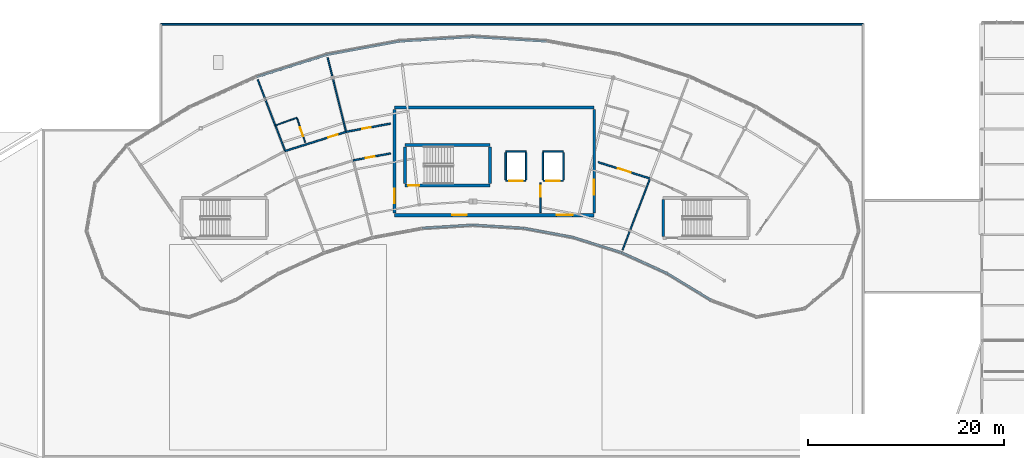
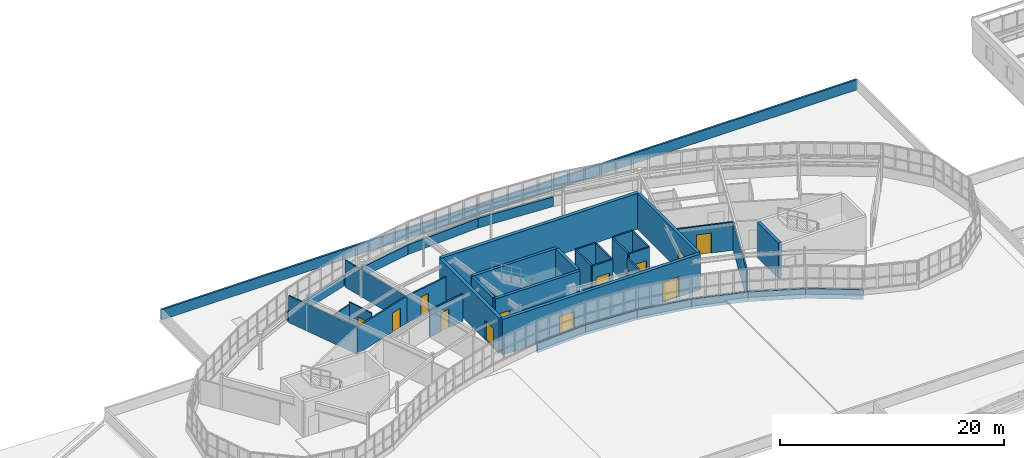
# One storey, part 107 of 128: 38 walls, 13 doors, 13 openings.
"""IFC4 building model written with IfcOpenShell, lengths in metres."""

from ifc_helpers import new_model, si_unit, direction, frame, frame_2d, origin, place, context, subcontext, project, spatial, rectangle, extrude, material, layer, layer_set, type_object, element, fill, save


model = new_model("IFC4")

# Units and contexts
model_context = context("Model", 3, precision=1e-05, world=origin(), true_north=direction((0.0, 1.0)))
body_context = subcontext(model_context, "Body", "Model", "MODEL_VIEW")
ifc_project = project(units=[si_unit("LENGTHUNIT", "METRE"), si_unit("AREAUNIT", "SQUARE_METRE"), si_unit("VOLUMEUNIT", "CUBIC_METRE"), si_unit("PLANEANGLEUNIT", "RADIAN"), si_unit("MASSUNIT", "GRAM", prefix="KILO")], contexts=[model_context])

# Site, building, storey
site_placement = place(None, origin())
site = spatial("IfcSite", under=ifc_project, at=site_placement, CompositionType="ELEMENT")
building_placement = place(site_placement, origin())
building = spatial("IfcBuilding", under=site, at=building_placement, Name="Tarnwether General Hospital", CompositionType="ELEMENT")
storey_placement = place(building_placement, frame((0.0, 0.0, 14.39990234375)))
storey = spatial("IfcBuildingStorey", under=building, at=storey_placement, Name="L03", CompositionType="ELEMENT", Elevation=14.39990234375)

# Walls
ifc_material_1 = material(Name="Streamlined white enamelled aluminium", Category="aluminium")
ifc_layer_1 = layer(ifc_material_1, 0.219970703125)
ifc_layer_set_1 = layer_set([ifc_layer_1], Name="Streamlined white enamelled aluminium")
wall_type_1 = type_object("IfcWallType", Name="WL-EX220", PredefinedType="STANDARD", material=ifc_layer_set_1)
for number, where, z_axis, x_axis, name in (
    (1, (92.0, 105.39990234375, 0.0), (0.0, 0.0, 1.0), (-0.998136079034, -0.061027598104, 0.0), "Ward NW Streamlined White Spandrel EW-L03-0010"),
    (2, (97.1669921875, 105.083984375, 0.0), (0.0, 0.0, 1.0), (-0.998136079034, 0.061027598104, 0.0), "Ward NW Streamlined White Spandrel EW-L03-0011"),
    (3, (102.257080078125, 104.14111328125, 0.0), (0.0, 0.0, 1.0), (-0.98327293422, 0.182138235501, 0.0), "Ward NW Streamlined White Spandrel EW-L03-0012"),
):
    element("IfcWall", number, at=place(storey_placement, frame(where, z_axis=z_axis, x_axis=x_axis)), inside=storey, type_object=wall_type_1, Name=name, PredefinedType="STANDARD", context=body_context, shape_type="SweptSolid", body=[
        extrude(rectangle(XDim=5.1767578125, YDim=0.219970703125, at=frame_2d((2.58837890625, 0.0))), origin(), (0.0, 0.0, 1.0), 1.050048828125),
    ])
wall_1_placement = place(storey_placement, frame((107.195068359375, 102.583984375, 0.0), z_axis=(0.0, 0.0, 1.0), x_axis=(-0.953706582316, 0.300738681994, 0.0)))
element("IfcWall", 4, at=wall_1_placement, inside=storey, type_object=wall_type_1, Name="Ward NW Streamlined White Spandrel EW-L03-0013", PredefinedType="STANDARD", context=body_context, shape_type="SweptSolid", body=[
    extrude(rectangle(XDim=5.177734375, YDim=0.219970703125, at=frame_2d((2.5888671875, 0.0))), origin(), (0.0, 0.0, 1.0), 1.050048828125),
])
for number, where, z_axis, x_axis, name in (
    (5, (111.906005859375, 100.43701171875, 0.0), (0.0, 0.0, 1.0), (-0.909955822384, 0.414705198074, 0.0), "Ward NW Streamlined White Spandrel EW-L03-0014"),
    (6, (116.320068359375, 97.73193359375, 0.0), (0.0, 0.0, 1.0), (-0.852628362135, 0.522517823698, 0.0), "Ward NW Streamlined White Spandrel EW-L03-0015"),
):
    element("IfcWall", number, at=place(storey_placement, frame(where, z_axis=z_axis, x_axis=x_axis)), inside=storey, type_object=wall_type_1, Name=name, PredefinedType="STANDARD", context=body_context, shape_type="SweptSolid", body=[
        extrude(rectangle(XDim=5.177001953125, YDim=0.219970703125, at=frame_2d((2.58837890625, 0.0))), origin(), (0.0, 0.0, 1.0), 1.050048828125),
    ])
for number, where, z_axis, x_axis, name in (
    (7, (92.0, 124.60009765625, 0.0), (0.0, 0.0, 1.0), (0.99813616181, -0.061026244242, 0.0), "Ward NW Streamlined White Spandrel EW-L03-0026"),
    (8, (84.492919921875, 124.14111328125, 0.0), (0.0, 0.0, 1.0), (0.99813616181, 0.061026244242, 0.0), "Ward NW Streamlined White Spandrel EW-L03-0027"),
    (9, (77.097900390625, 122.77001953125, 0.0), (0.0, 0.0, 1.0), (0.983242805192, 0.18230081195, 0.0), "Ward NW Streamlined White Spandrel EW-L03-0028"),
):
    element("IfcWall", number, at=place(storey_placement, frame(where, z_axis=z_axis, x_axis=x_axis)), inside=storey, type_object=wall_type_1, Name=name, PredefinedType="STANDARD", context=body_context, shape_type="SweptSolid", body=[
        extrude(rectangle(XDim=7.52099609375, YDim=0.219970703125, at=frame_2d((3.760498046875, 0.0))), origin(), (0.0, 0.0, 1.0), 1.050048828125),
    ])
wall_2_placement = place(storey_placement, frame((69.925048828125, 120.509033203125, 0.0), z_axis=(0.0, 0.0, 1.0), x_axis=(0.953740021466, 0.300632618747, 0.0)))
element("IfcWall", 10, at=wall_2_placement, inside=storey, type_object=wall_type_1, Name="Ward NW Streamlined White Spandrel EW-L03-0029", PredefinedType="STANDARD", context=body_context, shape_type="SweptSolid", body=[
    extrude(rectangle(XDim=7.520751953125, YDim=0.219970703125, at=frame_2d((3.76025390625, 0.0))), origin(), (0.0, 0.0, 1.0), 1.050048828125),
])
ifc_material_2 = material(Name="Precast concrete 40 MPa", Category="concrete")
ifc_layer_2 = layer(ifc_material_2, 0.199951171875)
ifc_layer_set_2 = layer_set([ifc_layer_2], Name="Precast concrete 40 MPa")
wall_type_2 = type_object("IfcWallType", Name="WL-PR200", PredefinedType="PARAPET", material=ifc_layer_set_2)
wall_3_placement = place(storey_placement, frame((60.10009765625, 125.89990234375, 0.330078125), z_axis=(0.0, 0.0, 1.0), x_axis=(1.0, 0.0, 0.0)))
element("IfcWall", 11, at=wall_3_placement, inside=storey, type_object=wall_type_2, Name="Flat Roof Parapet EW-L03-0350", PredefinedType="PARAPET", context=body_context, shape_type="SweptSolid", body=[
    extrude(rectangle(XDim=71.7998046875, YDim=0.199951171875, at=frame_2d((35.89990234375, 0.0))), origin(), (0.0, 0.0, 1.0), 1.1201171875),
])

# Wall, opening, door
ifc_material_3 = material(Name="Gypsum plasterboard")
ifc_layer_3 = layer(ifc_material_3, 0.1201171875)
ifc_layer_set_3 = layer_set([ifc_layer_3], Name="Gypsum plasterboard")
wall_type_3 = type_object("IfcWallType", Name="WL-PT120", PredefinedType="PARTITIONING", material=ifc_layer_set_3)
wall_4_placement = place(storey_placement, frame((74.873046875, 113.83203125, 0.0), z_axis=(0.0, 0.0, 1.0), x_axis=(-0.319199781595, 0.947687448176, 0.0)))
wall_4 = element("IfcWall", 12, at=wall_4_placement, inside=storey, type_object=wall_type_3, Name="Interior Partition PT-L03-0306", PredefinedType="PARTITIONING", context=body_context, shape_type="SweptSolid", body=[
    extrude(rectangle(XDim=2.66015625, YDim=0.1201171875, at=frame_2d((1.330078125, 0.0))), origin(), (0.0, 0.0, 1.0), 3.189208984375),
])
opening_1_placement = place(wall_4_placement, frame((0.64990234375, 0.0, 0.0)))
opening_1 = element("IfcOpeningElement", 13, at=opening_1_placement, cuts=wall_4, Name="Opening D-10", PredefinedType="OPENING", context=body_context, shape_type="SweptSolid", body=[
    extrude(rectangle(XDim=0.9599609375, YDim=2.06005859375, at=frame_2d((0.47998046875, 1.030029296875))), frame((0.0, 0.070068359375, 0.0), z_axis=(0.0, -1.0, 0.0), x_axis=(1.0, 0.0, 0.0)), (0.0, 0.0, 1.0), 0.14013671875),
])
ifc_material_4 = material(Name="Anodised aluminium", Category="aluminium")
door_type_1 = type_object("IfcDoorType", Name="DR-IN10", OperationType="NOTDEFINED", PredefinedType="DOOR", material=ifc_material_4)
door_1_placement = place(opening_1_placement, origin())
door_1 = element("IfcDoor", 14, at=door_1_placement, inside=storey, type_object=door_type_1, Name="Interior Door DR-L03-0170", OperationType="SINGLE_SWING_RIGHT", OverallHeight=2.06005859375, OverallWidth=0.9599609375, PredefinedType="DOOR", context=body_context, shape_type="SweptSolid", body=[
    extrude(rectangle(XDim=0.9599609375, YDim=2.06005859375, at=frame_2d((0.47998046875, 1.030029296875))), frame((0.0, 0.02490234375, 0.0), z_axis=(0.0, -1.0, 0.0), x_axis=(1.0, 0.0, 0.0)), (0.0, 0.0, 1.0), 0.050048828125),
])
fill(opening_1, door_1)

# Walls
wall_5_placement = place(storey_placement, frame((71.823974609375, 115.56103515625, 0.0), z_axis=(0.0, 0.0, 1.0), x_axis=(0.940886080788, 0.338723165695, 0.0)))
element("IfcWall", 15, at=wall_5_placement, inside=storey, type_object=wall_type_3, Name="Interior Partition PT-L03-0307", PredefinedType="PARTITIONING", context=body_context, shape_type="SweptSolid", body=[
    extrude(rectangle(XDim=2.338134765625, YDim=0.1201171875, at=frame_2d((1.1689453125, 0.0))), origin(), (0.0, 0.0, 1.0), 2.93310546875),
])
ifc_material_5 = material(Name="Gypsum plasterboard")
ifc_layer_4 = layer(ifc_material_5, 0.139892578125)
ifc_layer_set_4 = layer_set([ifc_layer_4], Name="Gypsum plasterboard")
wall_type_4 = type_object("IfcWallType", Name="WL-PT140", PredefinedType="PARTITIONING", material=ifc_layer_set_4)
wall_6_placement = place(storey_placement, frame((72.826904296875, 112.947021484375, 0.0), z_axis=(0.0, 0.0, 1.0), x_axis=(-0.358342954102, 0.933590020965, 0.0)))
element("IfcWall", 16, at=wall_6_placement, inside=storey, type_object=wall_type_4, Name="Interior Partition PT-L03-0303", PredefinedType="PARTITIONING", context=body_context, shape_type="SweptSolid", body=[
    extrude(rectangle(XDim=7.8193359375, YDim=0.139892578125, at=frame_2d((3.90966796875, 0.0))), origin(), (0.0, 0.0, 1.0), 2.93310546875),
])
wall_7_placement = place(storey_placement, frame((79.056884765625, 114.910888671875, 0.0), z_axis=(0.0, 0.0, 1.0), x_axis=(-0.241911207257, 0.970298391117, 0.0)))
element("IfcWall", 17, at=wall_7_placement, inside=storey, type_object=wall_type_4, Name="Interior Partition PT-L03-0309", PredefinedType="PARTITIONING", context=body_context, shape_type="SweptSolid", body=[
    extrude(rectangle(XDim=7.8203125, YDim=0.139892578125, at=frame_2d((3.91015625, 0.0))), origin(), (0.0, 0.0, 1.0), 2.93798828125),
])
wall_8_placement = place(storey_placement, frame((110.097900390625, 110.14599609375, 0.0), z_axis=(0.0, 0.0, 1.0), x_axis=(-0.358410014332, -0.933564278251, 0.0)))
element("IfcWall", 18, at=wall_8_placement, inside=storey, type_object=wall_type_4, Name="Interior Partition PT-L03-0319", PredefinedType="PARTITIONING", context=body_context, shape_type="SweptSolid", body=[
    extrude(rectangle(XDim=7.820556640625, YDim=0.139892578125, at=frame_2d((3.91015625, 0.0))), origin(), (0.0, 0.0, 1.0), 3.088134765625),
])

# Wall, opening, door
ifc_material_6 = material(Name="Gypsum plasterboard")
ifc_layer_5 = layer(ifc_material_6, 0.159912109375)
ifc_layer_set_5 = layer_set([ifc_layer_5], Name="Gypsum plasterboard")
wall_type_5 = type_object("IfcWallType", Name="WL-PT160", PredefinedType="PARTITIONING", material=ifc_layer_set_5)
wall_9_placement = place(storey_placement, frame((95.360107421875, 109.909912109375, 0.0), z_axis=(0.0, 0.0, 1.0), x_axis=(1.0, 0.0, 0.0)))
wall_9 = element("IfcWall", 19, at=wall_9_placement, inside=storey, type_object=wall_type_5, Name="Lift L-01 Shaft Wall LSH-L-01-L03-S", PredefinedType="PARTITIONING", context=body_context, shape_type="SweptSolid", body=[
    extrude(rectangle(XDim=2.079833984375, YDim=0.159912109375, at=frame_2d((1.0400390625, 0.0))), origin(), (0.0, 0.0, 1.0), 3.56005859375),
])
opening_2_placement = place(wall_9_placement, frame((0.340087890625, 0.0, 0.0)))
opening_2 = element("IfcOpeningElement", 20, at=opening_2_placement, cuts=wall_9, Name="Opening LD-01", PredefinedType="OPENING", context=body_context, shape_type="SweptSolid", body=[
    extrude(rectangle(XDim=1.39990234375, YDim=2.199951171875, at=frame_2d((0.699951171875, 1.10009765625))), frame((0.0, 0.08984375, 0.0), z_axis=(0.0, -1.0, 0.0), x_axis=(1.0, 0.0, 0.0)), (0.0, 0.0, 1.0), 0.179931640625),
])
ifc_material_7 = material(Name="Anodised aluminium", Category="aluminium")
door_type_2 = type_object("IfcDoorType", Name="DR-LD01", OperationType="NOTDEFINED", PredefinedType="DOOR", material=ifc_material_7)
door_2_placement = place(opening_2_placement, origin())
door_2 = element("IfcDoor", 21, at=door_2_placement, inside=storey, type_object=door_type_2, Name="Lift L-01 Sliding Landing Door L03", OperationType="SLIDING_TO_LEFT", OverallHeight=2.199951171875, OverallWidth=1.39990234375, PredefinedType="DOOR", context=body_context, shape_type="SweptSolid", body=[
    extrude(rectangle(XDim=1.39990234375, YDim=2.199951171875, at=frame_2d((0.699951171875, 1.10009765625))), frame((0.0, 0.02490234375, 0.0), z_axis=(0.0, -1.0, 0.0), x_axis=(1.0, 0.0, 0.0)), (0.0, 0.0, 1.0), 0.050048828125),
])
fill(opening_2, door_2)

# Walls
wall_10_placement = place(storey_placement, frame((97.43994140625, 112.889892578125, 0.0), z_axis=(0.0, 0.0, 1.0), x_axis=(-1.0, 0.0, 0.0)))
element("IfcWall", 22, at=wall_10_placement, inside=storey, type_object=wall_type_5, Name="Lift L-01 Shaft Wall LSH-L-01-L03-N", PredefinedType="PARTITIONING", context=body_context, shape_type="SweptSolid", body=[
    extrude(rectangle(XDim=2.079833984375, YDim=0.159912109375, at=frame_2d((1.0400390625, 0.0))), origin(), (0.0, 0.0, 1.0), 3.56005859375),
])
for number, where, z_axis, x_axis, name in (
    (23, (95.360107421875, 112.7900390625, 0.0), (0.0, 0.0, 1.0), (0.0, -1.0, 0.0), "Lift L-01 Shaft Wall LSH-L-01-L03-W"),
    (24, (97.43994140625, 110.010009765625, 0.0), (0.0, 0.0, 1.0), (0.0, 1.0, 0.0), "Lift L-01 Shaft Wall LSH-L-01-L03-E"),
):
    element("IfcWall", number, at=place(storey_placement, frame(where, z_axis=z_axis, x_axis=x_axis)), inside=storey, type_object=wall_type_5, Name=name, PredefinedType="PARTITIONING", context=body_context, shape_type="SweptSolid", body=[
        extrude(rectangle(XDim=2.780029296875, YDim=0.159912109375, at=frame_2d((1.39013671875, 0.0))), origin(), (0.0, 0.0, 1.0), 3.56005859375),
    ])

# Wall, opening, door
wall_11_placement = place(storey_placement, frame((99.159912109375, 109.909912109375, 0.0), z_axis=(0.0, 0.0, 1.0), x_axis=(1.0, 0.0, 0.0)))
wall_11 = element("IfcWall", 25, at=wall_11_placement, inside=storey, type_object=wall_type_5, Name="Lift L-03 Shaft Wall LSH-L-03-L03-S", PredefinedType="PARTITIONING", context=body_context, shape_type="SweptSolid", body=[
    extrude(rectangle(XDim=2.080078125, YDim=0.159912109375, at=frame_2d((1.0400390625, 0.0))), origin(), (0.0, 0.0, 1.0), 3.56005859375),
])
opening_3_placement = place(wall_11_placement, frame((0.340087890625, 0.0, 0.0)))
opening_3 = element("IfcOpeningElement", 26, at=opening_3_placement, cuts=wall_11, Name="Opening LD-01", PredefinedType="OPENING", context=body_context, shape_type="SweptSolid", body=[
    extrude(rectangle(XDim=1.39990234375, YDim=2.199951171875, at=frame_2d((0.699951171875, 1.10009765625))), frame((0.0, 0.08984375, 0.0), z_axis=(0.0, -1.0, 0.0), x_axis=(1.0, 0.0, 0.0)), (0.0, 0.0, 1.0), 0.179931640625),
])
door_3_placement = place(opening_3_placement, origin())
door_3 = element("IfcDoor", 27, at=door_3_placement, inside=storey, type_object=door_type_2, Name="Lift L-03 Sliding Landing Door L03", OperationType="SLIDING_TO_LEFT", OverallHeight=2.199951171875, OverallWidth=1.39990234375, PredefinedType="DOOR", context=body_context, shape_type="SweptSolid", body=[
    extrude(rectangle(XDim=1.39990234375, YDim=2.199951171875, at=frame_2d((0.699951171875, 1.10009765625))), frame((0.0, 0.02490234375, 0.0), z_axis=(0.0, -1.0, 0.0), x_axis=(1.0, 0.0, 0.0)), (0.0, 0.0, 1.0), 0.050048828125),
])
fill(opening_3, door_3)

# Walls
wall_12_placement = place(storey_placement, frame((101.239990234375, 112.889892578125, 0.0), z_axis=(0.0, 0.0, 1.0), x_axis=(-1.0, 0.0, 0.0)))
element("IfcWall", 28, at=wall_12_placement, inside=storey, type_object=wall_type_5, Name="Lift L-03 Shaft Wall LSH-L-03-L03-N", PredefinedType="PARTITIONING", context=body_context, shape_type="SweptSolid", body=[
    extrude(rectangle(XDim=2.080078125, YDim=0.159912109375, at=frame_2d((1.0400390625, 0.0))), origin(), (0.0, 0.0, 1.0), 3.56005859375),
])
for number, where, z_axis, x_axis, name in (
    (29, (99.159912109375, 112.7900390625, 0.0), (0.0, 0.0, 1.0), (0.0, -1.0, 0.0), "Lift L-03 Shaft Wall LSH-L-03-L03-W"),
    (30, (101.239990234375, 110.010009765625, 0.0), (0.0, 0.0, 1.0), (0.0, 1.0, 0.0), "Lift L-03 Shaft Wall LSH-L-03-L03-E"),
):
    element("IfcWall", number, at=place(storey_placement, frame(where, z_axis=z_axis, x_axis=x_axis)), inside=storey, type_object=wall_type_5, Name=name, PredefinedType="PARTITIONING", context=body_context, shape_type="SweptSolid", body=[
        extrude(rectangle(XDim=2.780029296875, YDim=0.159912109375, at=frame_2d((1.39013671875, 0.0))), origin(), (0.0, 0.0, 1.0), 3.56005859375),
    ])

# Wall, opening, door
wall_13_placement = place(storey_placement, frame((98.89990234375, 106.64990234375, 0.0), z_axis=(0.0, 0.0, 1.0), x_axis=(0.0, 1.0, 0.0)))
wall_13 = element("IfcWall", 31, at=wall_13_placement, inside=storey, type_object=wall_type_5, Name="Firefighting Lobby Divider K1 L03", PredefinedType="PARTITIONING", context=body_context, shape_type="SweptSolid", body=[
    extrude(rectangle(XDim=3.050048828125, YDim=0.159912109375, at=frame_2d((1.52490234375, 0.0))), origin(), (0.0, 0.0, 1.0), 3.295166015625),
])
opening_4_placement = place(wall_13_placement, frame((1.6298828125, 0.0, 0.0)))
opening_4 = element("IfcOpeningElement", 32, at=opening_4_placement, cuts=wall_13, Name="Opening FD-06", PredefinedType="OPENING", context=body_context, shape_type="SweptSolid", body=[
    extrude(rectangle(XDim=1.10009765625, YDim=2.14990234375, at=frame_2d((0.550048828125, 1.074951171875))), frame((0.0, 0.08984375, 0.0), z_axis=(0.0, -1.0, 0.0), x_axis=(1.0, 0.0, 0.0)), (0.0, 0.0, 1.0), 0.179931640625),
])
ifc_material_8 = material(Name="Anodised aluminium", Category="aluminium")
door_type_3 = type_object("IfcDoorType", Name="DR-FD06", OperationType="NOTDEFINED", PredefinedType="DOOR", material=ifc_material_8)
door_4_placement = place(opening_4_placement, origin())
door_4 = element("IfcDoor", 33, at=door_4_placement, inside=storey, type_object=door_type_3, Name="Core K1 Inter-Lobby Smoke Door L03", OperationType="SINGLE_SWING_RIGHT", OverallHeight=2.14990234375, OverallWidth=1.10009765625, PredefinedType="DOOR", context=body_context, shape_type="SweptSolid", body=[
    extrude(rectangle(XDim=1.10009765625, YDim=2.14990234375, at=frame_2d((0.550048828125, 1.074951171875))), frame((0.0, 0.02490234375, 0.0), z_axis=(0.0, -1.0, 0.0), x_axis=(1.0, 0.0, 0.0)), (0.0, 0.0, 1.0), 0.050048828125),
])
fill(opening_4, door_4)

wall_14_placement = place(storey_placement, frame((72.826904296875, 112.947021484375, 0.0), z_axis=(0.0, 0.0, 1.0), x_axis=(0.953736183483, 0.30064479426, 0.0)))
wall_14 = element("IfcWall", 34, at=wall_14_placement, inside=storey, type_object=wall_type_5, Name="Interior Partition PT-L03-0308", PredefinedType="PARTITIONING", context=body_context, shape_type="SweptSolid", body=[
    extrude(rectangle(XDim=6.5322265625, YDim=0.159912109375, at=frame_2d((3.26611328125, 0.0))), origin(), (0.0, 0.0, 1.0), 2.93310546875),
])
opening_5_placement = place(wall_14_placement, frame((4.632080078125, 0.0, 0.0)))
opening_5 = element("IfcOpeningElement", 35, at=opening_5_placement, cuts=wall_14, Name="Opening D-09", PredefinedType="OPENING", context=body_context, shape_type="SweptSolid", body=[
    extrude(rectangle(XDim=1.02001953125, YDim=2.080078125, at=frame_2d((0.510009765625, 1.0400390625))), frame((0.0, 0.08984375, 0.0), z_axis=(0.0, -1.0, 0.0), x_axis=(1.0, 0.0, 0.0)), (0.0, 0.0, 1.0), 0.179931640625),
])
ifc_material_9 = material(Name="Anodised aluminium", Category="aluminium")
door_type_4 = type_object("IfcDoorType", Name="DR-IN09", OperationType="NOTDEFINED", PredefinedType="DOOR", material=ifc_material_9)
door_5_placement = place(opening_5_placement, origin())
door_5 = element("IfcDoor", 36, at=door_5_placement, inside=storey, type_object=door_type_4, Name="Interior Door DR-L03-0171", OperationType="SINGLE_SWING_LEFT", OverallHeight=2.080078125, OverallWidth=1.02001953125, PredefinedType="DOOR", context=body_context, shape_type="SweptSolid", body=[
    extrude(rectangle(XDim=1.02001953125, YDim=2.080078125, at=frame_2d((0.510009765625, 1.0400390625))), frame((0.0, 0.02490234375, 0.0), z_axis=(0.0, -1.0, 0.0), x_axis=(1.0, 0.0, 0.0)), (0.0, 0.0, 1.0), 0.050048828125),
])
fill(opening_5, door_5)

wall_15_placement = place(storey_placement, frame((79.056884765625, 114.910888671875, 0.0), z_axis=(0.0, 0.0, 1.0), x_axis=(0.983258469263, 0.182216307235, 0.0)))
wall_15 = element("IfcWall", 37, at=wall_15_placement, inside=storey, type_object=wall_type_5, Name="Interior Partition PT-L03-0312", PredefinedType="PARTITIONING", context=body_context, shape_type="SweptSolid", body=[
    extrude(rectangle(XDim=4.6103515625, YDim=0.159912109375, at=frame_2d((2.30517578125, 0.0))), origin(), (0.0, 0.0, 1.0), 2.93798828125),
])
opening_6_placement = place(wall_15_placement, frame((1.655029296875, 0.0, 0.0)))
opening_6 = element("IfcOpeningElement", 38, at=opening_6_placement, cuts=wall_15, Name="Opening D-11", PredefinedType="OPENING", context=body_context, shape_type="SweptSolid", body=[
    extrude(rectangle(XDim=0.89990234375, YDim=2.10009765625, at=frame_2d((0.449951171875, 1.050048828125))), frame((0.0, 0.08984375, 0.0), z_axis=(0.0, -1.0, 0.0), x_axis=(1.0, 0.0, 0.0)), (0.0, 0.0, 1.0), 0.179931640625),
])
ifc_material_10 = material(Name="Anodised aluminium", Category="aluminium")
door_type_5 = type_object("IfcDoorType", Name="DR-IN11", OperationType="NOTDEFINED", PredefinedType="DOOR", material=ifc_material_10)
door_6_placement = place(opening_6_placement, origin())
door_6 = element("IfcDoor", 39, at=door_6_placement, inside=storey, type_object=door_type_5, Name="Interior Door DR-L03-0173", OperationType="SINGLE_SWING_LEFT", OverallHeight=2.10009765625, OverallWidth=0.89990234375, PredefinedType="DOOR", context=body_context, shape_type="SweptSolid", body=[
    extrude(rectangle(XDim=0.89990234375, YDim=2.10009765625, at=frame_2d((0.449951171875, 1.050048828125))), frame((0.0, 0.02490234375, 0.0), z_axis=(0.0, -1.0, 0.0), x_axis=(1.0, 0.0, 0.0)), (0.0, 0.0, 1.0), 0.050048828125),
])
fill(opening_6, door_6)

wall_16_placement = place(storey_placement, frame((79.782958984375, 112.0, 0.0), z_axis=(0.0, 0.0, 1.0), x_axis=(0.983234305922, 0.182346646962, 0.0)))
wall_16 = element("IfcWall", 40, at=wall_16_placement, inside=storey, type_object=wall_type_5, Name="Interior Partition PT-L03-0313", PredefinedType="PARTITIONING", context=body_context, shape_type="SweptSolid", body=[
    extrude(rectangle(XDim=3.8720703125, YDim=0.159912109375, at=frame_2d((1.93603515625, 0.0))), origin(), (0.0, 0.0, 1.0), 2.93798828125),
])
opening_7_placement = place(wall_16_placement, frame((1.285888671875, 0.0, 0.0)))
opening_7 = element("IfcOpeningElement", 41, at=opening_7_placement, cuts=wall_16, Name="Opening D-12", PredefinedType="OPENING", context=body_context, shape_type="SweptSolid", body=[
    extrude(rectangle(XDim=0.919921875, YDim=2.0400390625, at=frame_2d((0.4599609375, 1.02001953125))), frame((0.0, 0.08984375, 0.0), z_axis=(0.0, -1.0, 0.0), x_axis=(1.0, 0.0, 0.0)), (0.0, 0.0, 1.0), 0.179931640625),
])
ifc_material_11 = material(Name="Anodised aluminium", Category="aluminium")
door_type_6 = type_object("IfcDoorType", Name="DR-IN12", OperationType="NOTDEFINED", PredefinedType="DOOR", material=ifc_material_11)
door_7_placement = place(opening_7_placement, origin())
door_7 = element("IfcDoor", 42, at=door_7_placement, inside=storey, type_object=door_type_6, Name="Interior Door DR-L03-0174", OperationType="SINGLE_SWING_RIGHT", OverallHeight=2.0400390625, OverallWidth=0.919921875, PredefinedType="DOOR", context=body_context, shape_type="SweptSolid", body=[
    extrude(rectangle(XDim=0.919921875, YDim=2.0400390625, at=frame_2d((0.4599609375, 1.02001953125))), frame((0.0, 0.02490234375, 0.0), z_axis=(0.0, -1.0, 0.0), x_axis=(1.0, 0.0, 0.0)), (0.0, 0.0, 1.0), 0.050048828125),
])
fill(opening_7, door_7)

wall_17_placement = place(storey_placement, frame((104.81005859375, 111.81298828125, 0.0), z_axis=(0.0, 0.0, 1.0), x_axis=(0.953730291319, -0.300663485347, 0.0)))
wall_17 = element("IfcWall", 43, at=wall_17_placement, inside=storey, type_object=wall_type_5, Name="Interior Partition PT-L03-0318", PredefinedType="PARTITIONING", context=body_context, shape_type="SweptSolid", body=[
    extrude(rectangle(XDim=5.54443359375, YDim=0.159912109375, at=frame_2d((2.772216796875, 0.0))), origin(), (0.0, 0.0, 1.0), 3.088134765625),
])
opening_8_placement = place(wall_17_placement, frame((2.1220703125, 0.0, 0.0)))
opening_8 = element("IfcOpeningElement", 44, at=opening_8_placement, cuts=wall_17, Name="Opening D-02", PredefinedType="OPENING", context=body_context, shape_type="SweptSolid", body=[
    extrude(rectangle(XDim=1.360107421875, YDim=2.179931640625, at=frame_2d((0.68017578125, 1.08984375))), frame((0.0, 0.08984375, 0.0), z_axis=(0.0, -1.0, 0.0), x_axis=(1.0, 0.0, 0.0)), (0.0, 0.0, 1.0), 0.179931640625),
])
ifc_material_12 = material(Name="Anodised aluminium", Category="aluminium")
door_type_7 = type_object("IfcDoorType", Name="DR-IN02", OperationType="NOTDEFINED", PredefinedType="DOOR", material=ifc_material_12)
door_8_placement = place(opening_8_placement, origin())
door_8 = element("IfcDoor", 45, at=door_8_placement, inside=storey, type_object=door_type_7, Name="Interior Door DR-L03-0177", OperationType="SINGLE_SWING_LEFT", OverallHeight=2.179931640625, OverallWidth=1.360107421875, PredefinedType="DOOR", context=body_context, shape_type="SweptSolid", body=[
    extrude(rectangle(XDim=1.360107421875, YDim=2.179931640625, at=frame_2d((0.68017578125, 1.08984375))), frame((0.0, 0.02490234375, 0.0), z_axis=(0.0, -1.0, 0.0), x_axis=(1.0, 0.0, 0.0)), (0.0, 0.0, 1.0), 0.050048828125),
])
fill(opening_8, door_8)

ifc_material_13 = material(Name="Concrete 50 MPa", Category="concrete")
ifc_layer_6 = layer(ifc_material_13, 0.300048828125)
ifc_layer_set_6 = layer_set([ifc_layer_6], Name="Concrete 50 MPa")
wall_type_6 = type_object("IfcWallType", Name="WL-SW300", PredefinedType="SHEAR", material=ifc_layer_set_6)
wall_18_placement = place(storey_placement, frame((104.39990234375, 117.199951171875, 0.0), z_axis=(0.0, 0.0, 1.0), x_axis=(0.0, -1.0, 0.0)))
wall_18 = element("IfcWall", 46, at=wall_18_placement, inside=storey, type_object=wall_type_6, Name="Core Shear Wall CWALL-K1-L03-E", PredefinedType="SHEAR", context=body_context, shape_type="SweptSolid", body=[
    extrude(rectangle(XDim=10.599853515625, YDim=0.300048828125, at=frame_2d((5.2998046875, 0.0))), origin(), (0.0, 0.0, 1.0), 3.900146484375),
])
opening_9_placement = place(wall_18_placement, frame((7.199951171875, 0.0, 0.0)))
opening_9 = element("IfcOpeningElement", 47, at=opening_9_placement, cuts=wall_18, Name="Opening FD-02", PredefinedType="OPENING", context=body_context, shape_type="SweptSolid", body=[
    extrude(rectangle(XDim=1.52001953125, YDim=2.159912109375, at=frame_2d((0.760009765625, 1.080078125))), frame((0.0, 0.16015625, 0.0), z_axis=(0.0, -1.0, 0.0), x_axis=(1.0, 0.0, 0.0)), (0.0, 0.0, 1.0), 0.320068359375),
])
ifc_material_14 = material(Name="Anodised aluminium", Category="aluminium")
door_type_8 = type_object("IfcDoorType", Name="DR-FD02", OperationType="NOTDEFINED", PredefinedType="DOOR", material=ifc_material_14)
door_9_placement = place(opening_9_placement, origin())
door_9 = element("IfcDoor", 48, at=door_9_placement, inside=storey, type_object=door_type_8, Name="Core K1 Ward Corridor Fire Door L03", OperationType="SINGLE_SWING_RIGHT", OverallHeight=2.159912109375, OverallWidth=1.52001953125, PredefinedType="DOOR", context=body_context, shape_type="SweptSolid", body=[
    extrude(rectangle(XDim=1.52001953125, YDim=2.159912109375, at=frame_2d((0.760009765625, 1.080078125))), frame((0.0, 0.02490234375, 0.0), z_axis=(0.0, -1.0, 0.0), x_axis=(1.0, 0.0, 0.0)), (0.0, 0.0, 1.0), 0.050048828125),
])
fill(opening_9, door_9)

wall_19_placement = place(storey_placement, frame((85.050048828125, 109.449951171875, 0.0), z_axis=(0.0, 0.0, 1.0), x_axis=(1.0, 0.0, 0.0)))
wall_19 = element("IfcWall", 49, at=wall_19_placement, inside=storey, type_object=wall_type_6, Name="Stairwell Shear Wall STW-ST-01-L03-B", PredefinedType="SHEAR", context=body_context, shape_type="SweptSolid", body=[
    extrude(rectangle(XDim=8.699951171875, YDim=0.300048828125, at=frame_2d((4.35009765625, 0.0))), origin(), (0.0, 0.0, 1.0), 3.900146484375),
])
opening_10_placement = place(wall_19_placement, frame((0.35009765625, 0.0, 0.0)))
opening_10 = element("IfcOpeningElement", 50, at=opening_10_placement, cuts=wall_19, Name="Opening FD-06", PredefinedType="OPENING", context=body_context, shape_type="SweptSolid", body=[
    extrude(rectangle(XDim=1.10009765625, YDim=2.14990234375, at=frame_2d((0.550048828125, 1.074951171875))), frame((0.0, 0.16015625, 0.0), z_axis=(0.0, -1.0, 0.0), x_axis=(1.0, 0.0, 0.0)), (0.0, 0.0, 1.0), 0.320068359375),
])
door_10_placement = place(opening_10_placement, origin())
door_10 = element("IfcDoor", 51, at=door_10_placement, inside=storey, type_object=door_type_3, Name="Stairwell ST-01 Safe-Path Fire Door L03", OperationType="SINGLE_SWING_RIGHT", OverallHeight=2.14990234375, OverallWidth=1.10009765625, PredefinedType="DOOR", context=body_context, shape_type="SweptSolid", body=[
    extrude(rectangle(XDim=1.10009765625, YDim=2.14990234375, at=frame_2d((0.550048828125, 1.074951171875))), frame((0.0, 0.02490234375, 0.0), z_axis=(0.0, -1.0, 0.0), x_axis=(1.0, 0.0, 0.0)), (0.0, 0.0, 1.0), 0.050048828125),
])
fill(opening_10, door_10)

# Walls
wall_20_placement = place(storey_placement, frame((93.75, 113.550048828125, 0.0), z_axis=(0.0, 0.0, 1.0), x_axis=(-1.0, 0.0, 0.0)))
element("IfcWall", 52, at=wall_20_placement, inside=storey, type_object=wall_type_6, Name="Stairwell Shear Wall STW-ST-01-L03-N", PredefinedType="SHEAR", context=body_context, shape_type="SweptSolid", body=[
    extrude(rectangle(XDim=8.699951171875, YDim=0.300048828125, at=frame_2d((4.35009765625, 0.0))), origin(), (0.0, 0.0, 1.0), 3.900146484375),
])
for number, where, z_axis, x_axis, name in (
    (53, (85.050048828125, 109.6201171875, 0.0), (0.0, 0.0, 1.0), (0.0, 1.0, 0.0), "Stairwell Shear Wall STW-ST-01-L03-L"),
    (54, (93.75, 109.6201171875, 0.0), (0.0, 0.0, 1.0), (0.0, 1.0, 0.0), "Stairwell Shear Wall STW-ST-01-L03-F"),
):
    element("IfcWall", number, at=place(storey_placement, frame(where, z_axis=z_axis, x_axis=x_axis)), inside=storey, type_object=wall_type_6, Name=name, PredefinedType="SHEAR", context=body_context, shape_type="SweptSolid", body=[
        extrude(rectangle(XDim=3.759765625, YDim=0.300048828125, at=frame_2d((1.8798828125, 0.0))), origin(), (0.0, 0.0, 1.0), 3.900146484375),
    ])
wall_21_placement = place(storey_placement, frame((111.449951171875, 104.219970703125, 0.0), z_axis=(0.0, 0.0, 1.0), x_axis=(0.0, 1.0, 0.0)))
element("IfcWall", 55, at=wall_21_placement, inside=storey, type_object=wall_type_6, Name="Stairwell Shear Wall STW-ST-08-L03-L", PredefinedType="SHEAR", context=body_context, shape_type="SweptSolid", body=[
    extrude(rectangle(XDim=3.760009765625, YDim=0.300048828125, at=frame_2d((1.8798828125, 0.0))), origin(), (0.0, 0.0, 1.0), 3.900146484375),
])
ifc_material_15 = material(Name="Concrete 50 MPa", Category="concrete")
ifc_layer_7 = layer(ifc_material_15, 0.35009765625)
ifc_layer_set_7 = layer_set([ifc_layer_7], Name="Concrete 50 MPa")
wall_type_7 = type_object("IfcWallType", Name="WL-SW350", PredefinedType="SHEAR", material=ifc_layer_set_7)
wall_22_placement = place(storey_placement, frame((84.0, 117.39990234375, 0.0), z_axis=(0.0, 0.0, 1.0), x_axis=(1.0, 0.0, 0.0)))
element("IfcWall", 56, at=wall_22_placement, inside=storey, type_object=wall_type_7, Name="Core Shear Wall CWALL-K1-L03-N", PredefinedType="SHEAR", context=body_context, shape_type="SweptSolid", body=[
    extrude(rectangle(XDim=20.39990234375, YDim=0.35009765625, at=frame_2d((10.199951171875, 0.0))), origin(), (0.0, 0.0, 1.0), 3.900146484375),
])

# Wall, openings, doors
wall_23_placement = place(storey_placement, frame((104.39990234375, 106.39990234375, 0.0), z_axis=(0.0, 0.0, 1.0), x_axis=(-1.0, 0.0, 0.0)))
wall_23 = element("IfcWall", 57, at=wall_23_placement, inside=storey, type_object=wall_type_7, Name="Core Shear Wall CWALL-K1-L03-S", PredefinedType="SHEAR", context=body_context, shape_type="SweptSolid", body=[
    extrude(rectangle(XDim=20.39990234375, YDim=0.35009765625, at=frame_2d((10.199951171875, 0.0))), origin(), (0.0, 0.0, 1.0), 3.900146484375),
])
opening_11_placement = place(wall_23_placement, frame((2.199951171875, 0.0, 0.0)))
opening_11 = element("IfcOpeningElement", 58, at=opening_11_placement, cuts=wall_23, Name="Opening FD-01", PredefinedType="OPENING", context=body_context, shape_type="SweptSolid", body=[
    extrude(rectangle(XDim=1.639892578125, YDim=2.199951171875, at=frame_2d((0.81982421875, 1.10009765625))), frame((0.0, 0.18505859375, 0.0), z_axis=(0.0, -1.0, 0.0), x_axis=(1.0, 0.0, 0.0)), (0.0, 0.0, 1.0), 0.3701171875),
])
opening_12_placement = place(wall_23_placement, frame((13.0, 0.0, 0.0)))
opening_12 = element("IfcOpeningElement", 59, at=opening_12_placement, cuts=wall_23, Name="Opening FD-02", PredefinedType="OPENING", context=body_context, shape_type="SweptSolid", body=[
    extrude(rectangle(XDim=1.52001953125, YDim=2.159912109375, at=frame_2d((0.760009765625, 1.080078125))), frame((0.0, 0.18505859375, 0.0), z_axis=(0.0, -1.0, 0.0), x_axis=(1.0, 0.0, 0.0)), (0.0, 0.0, 1.0), 0.3701171875),
])
ifc_material_16 = material(Name="Anodised aluminium", Category="aluminium")
door_type_9 = type_object("IfcDoorType", Name="DR-FD01", OperationType="NOTDEFINED", PredefinedType="DOOR", material=ifc_material_16)
door_11_placement = place(opening_11_placement, origin())
door_11 = element("IfcDoor", 60, at=door_11_placement, inside=storey, type_object=door_type_9, Name="Core K1 Lobby Fire Door L03", OperationType="DOUBLE_DOOR_SINGLE_SWING", OverallHeight=2.199951171875, OverallWidth=1.639892578125, PredefinedType="DOOR", context=body_context, shape_type="SweptSolid", body=[
    extrude(rectangle(XDim=1.639892578125, YDim=2.199951171875, at=frame_2d((0.81982421875, 1.10009765625))), frame((0.0, 0.02490234375, 0.0), z_axis=(0.0, -1.0, 0.0), x_axis=(1.0, 0.0, 0.0)), (0.0, 0.0, 1.0), 0.050048828125),
])
fill(opening_11, door_11)
door_12_placement = place(opening_12_placement, origin())
door_12 = element("IfcDoor", 61, at=door_12_placement, inside=storey, type_object=door_type_8, Name="Core K1 Firefighting Lobby Door L03", OperationType="SINGLE_SWING_RIGHT", OverallHeight=2.159912109375, OverallWidth=1.52001953125, PredefinedType="DOOR", context=body_context, shape_type="SweptSolid", body=[
    extrude(rectangle(XDim=1.52001953125, YDim=2.159912109375, at=frame_2d((0.760009765625, 1.080078125))), frame((0.0, 0.02490234375, 0.0), z_axis=(0.0, -1.0, 0.0), x_axis=(1.0, 0.0, 0.0)), (0.0, 0.0, 1.0), 0.050048828125),
])
fill(opening_12, door_12)

# Wall, opening, door
wall_24_placement = place(storey_placement, frame((84.0, 106.60009765625, 0.0), z_axis=(0.0, 0.0, 1.0), x_axis=(0.0, 1.0, 0.0)))
wall_24 = element("IfcWall", 62, at=wall_24_placement, inside=storey, type_object=wall_type_7, Name="Core Shear Wall CWALL-K1-L03-W", PredefinedType="SHEAR", context=body_context, shape_type="SweptSolid", body=[
    extrude(rectangle(XDim=10.599853515625, YDim=0.35009765625, at=frame_2d((5.2998046875, 0.0))), origin(), (0.0, 0.0, 1.0), 3.900146484375),
])
opening_13_placement = place(wall_24_placement, frame((1.0, 0.0, 0.0)))
opening_13 = element("IfcOpeningElement", 63, at=opening_13_placement, cuts=wall_24, Name="Opening FD-02", PredefinedType="OPENING", context=body_context, shape_type="SweptSolid", body=[
    extrude(rectangle(XDim=1.52001953125, YDim=2.159912109375, at=frame_2d((0.760009765625, 1.080078125))), frame((0.0, 0.18505859375, 0.0), z_axis=(0.0, -1.0, 0.0), x_axis=(1.0, 0.0, 0.0)), (0.0, 0.0, 1.0), 0.3701171875),
])
door_13_placement = place(opening_13_placement, origin())
door_13 = element("IfcDoor", 64, at=door_13_placement, inside=storey, type_object=door_type_8, Name="Core K1 Ward Corridor Fire Door L03", OperationType="SINGLE_SWING_LEFT", OverallHeight=2.159912109375, OverallWidth=1.52001953125, PredefinedType="DOOR", context=body_context, shape_type="SweptSolid", body=[
    extrude(rectangle(XDim=1.52001953125, YDim=2.159912109375, at=frame_2d((0.760009765625, 1.080078125))), frame((0.0, 0.02490234375, 0.0), z_axis=(0.0, -1.0, 0.0), x_axis=(1.0, 0.0, 0.0)), (0.0, 0.0, 1.0), 0.050048828125),
])
fill(opening_13, door_13)

save(model, "model.ifc")
